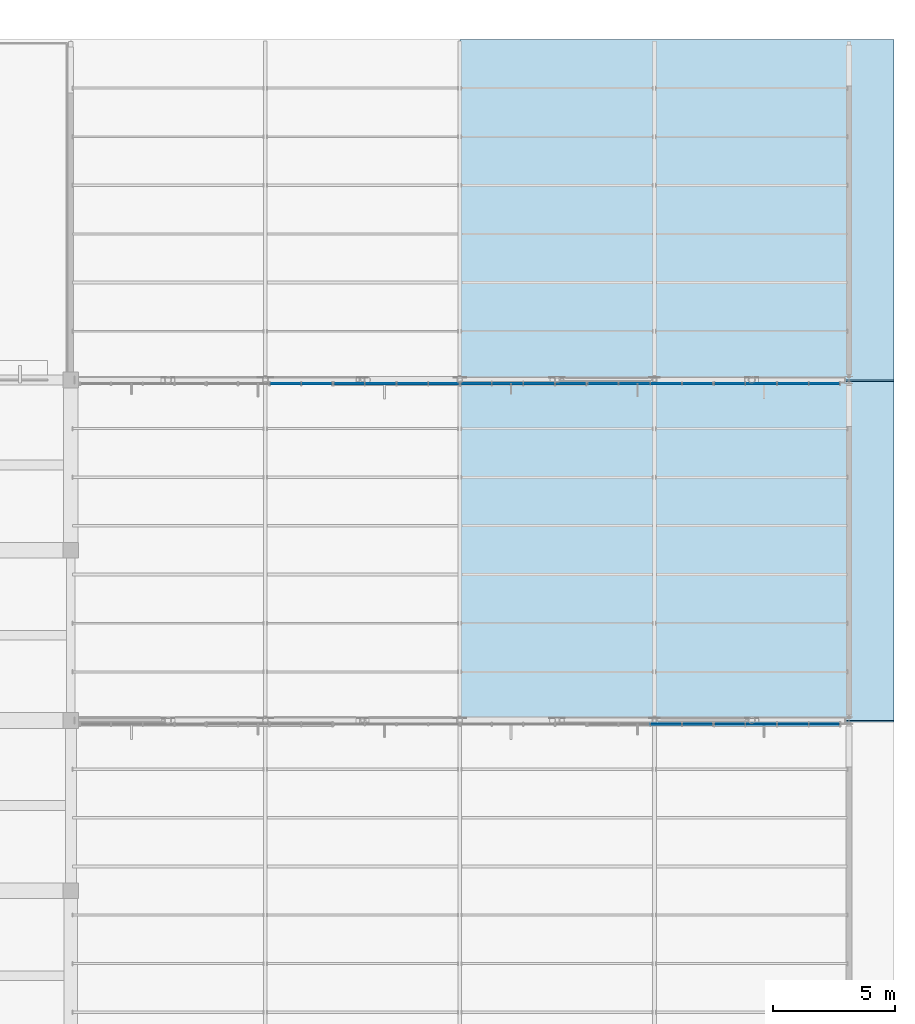
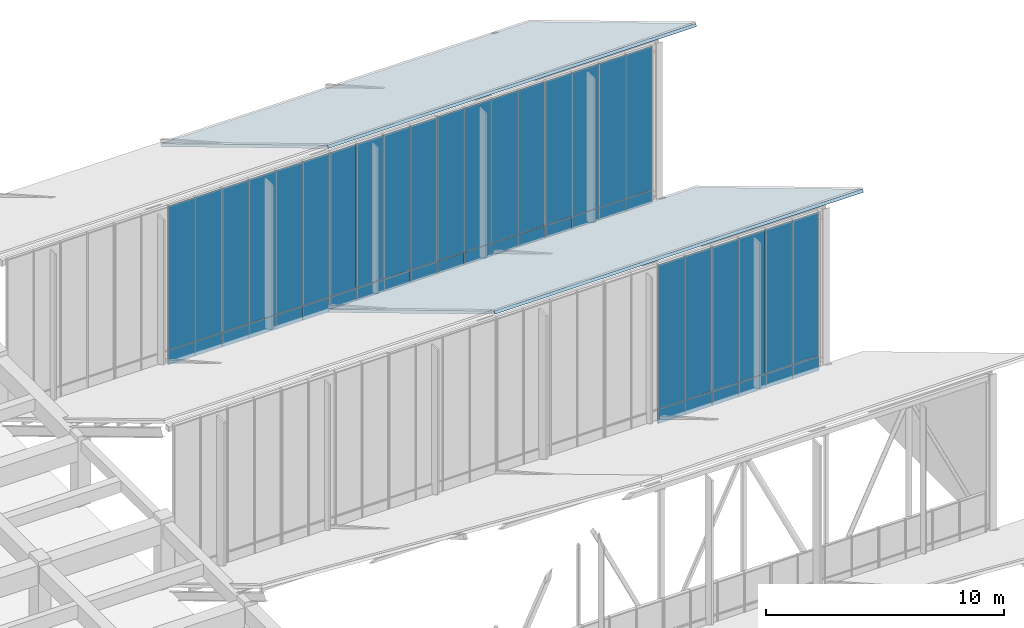
# One storey, part 83 of 155: 48 plates, 2 slabs, 9 elements without a shape of their own.
"""IFC4 building model written with IfcOpenShell, lengths in metres."""

from ifc_helpers import new_model, si_unit, direction, frame, origin, origin_2d, place, context, subcontext, project, spatial, polyline, rectangle, outline, extrude, material, layer, layer_set, type_object, element, aggregate, save


model = new_model("IFC4")

# Units and contexts
model_context = context("Model", 3, precision=1e-05, world=origin(), true_north=direction((0.0, 1.0)))
body_context = subcontext(model_context, "Body", "Model", "MODEL_VIEW")
ifc_project = project(units=[si_unit("LENGTHUNIT", "METRE"), si_unit("AREAUNIT", "SQUARE_METRE"), si_unit("VOLUMEUNIT", "CUBIC_METRE"), si_unit("PLANEANGLEUNIT", "RADIAN"), si_unit("MASSUNIT", "GRAM", prefix="KILO")], contexts=[model_context])

# Site, building, storey
site_placement = place(None, origin())
site = spatial("IfcSite", under=ifc_project, at=site_placement, CompositionType="ELEMENT")
building_placement = place(site_placement, origin())
building = spatial("IfcBuilding", under=site, at=building_placement, Name="Larkveld Mobility Hub", CompositionType="ELEMENT")
storey_placement = place(building_placement, frame((0.0, 0.0, 8.39990234375)))
storey = spatial("IfcBuildingStorey", under=building, at=storey_placement, Name="L02", CompositionType="ELEMENT", Elevation=8.39990234375)

# Curtain wall, plates
ifc_material_1 = material(Name="Anodised aluminium 6063-T6", Category="aluminium")
curtain_wall_type_1 = type_object("IfcCurtainWallType", Name="CW-SYS-07", PredefinedType="NOTDEFINED", material=ifc_material_1)
curtain_wall_1_placement = place(storey_placement, origin())
curtain_wall_1 = element("IfcCurtainWall", 1, at=curtain_wall_1_placement, inside=storey, type_object=curtain_wall_type_1, Name="Sawtooth South-Light Clerestory B6 CW-043", PredefinedType="NOTDEFINED")
ifc_material_2 = material(Name="Low-E laminated solar-control double glazing", Category="glass")
ifc_layer_1 = layer(ifc_material_2, 0.028076171875, Name="Low-E laminated solar-control double glazing", Category="glass")
ifc_layer_set_1 = layer_set([ifc_layer_1], Name="Low-E laminated solar-control double glazing")
plate_type_1 = type_object("IfcPlateType", Name="CW-PNL-GL01", PredefinedType="CURTAIN_PANEL", material=ifc_layer_set_1)
plate_1_placement = place(storey_placement, frame((179.094970703125, 97.844970703125, 0.75), z_axis=(0.0, 0.0, 1.0), x_axis=(1.0, 0.0, 0.0)))
plate_1 = element("IfcPlate", 2, at=plate_1_placement, type_object=plate_type_1, Name="CW07 panel 1", PredefinedType="CURTAIN_PANEL", context=body_context, shape_type="SweptSolid", body=[
    extrude(rectangle(XDim=1.27392578125, YDim=0.028076171875, at=origin_2d()), origin(), (0.0, 0.0, 1.0), 7.367919921875),
])
plate_2_placement = place(storey_placement, frame((180.388916015625, 97.844970703125, 0.75), z_axis=(0.0, 0.0, 1.0), x_axis=(1.0, 0.0, 0.0)))
plate_2 = element("IfcPlate", 3, at=plate_2_placement, type_object=plate_type_1, Name="CW07 panel 2", PredefinedType="CURTAIN_PANEL", context=body_context, shape_type="SweptSolid", body=[
    extrude(rectangle(XDim=1.2939453125, YDim=0.028076171875, at=origin_2d()), origin(), (0.0, 0.0, 1.0), 7.367919921875),
])
plate_3_placement = place(storey_placement, frame((181.694091796875, 97.844970703125, 0.75), z_axis=(0.0, 0.0, 1.0), x_axis=(1.0, 0.0, 0.0)))
plate_3 = element("IfcPlate", 4, at=plate_3_placement, type_object=plate_type_1, Name="CW07 panel 3", PredefinedType="CURTAIN_PANEL", context=body_context, shape_type="SweptSolid", body=[
    extrude(rectangle(XDim=1.2939453125, YDim=0.028076171875, at=origin_2d()), origin(), (0.0, 0.0, 1.0), 7.367919921875),
])
plate_4_placement = place(storey_placement, frame((182.988037109375, 97.844970703125, 0.75), z_axis=(0.0, 0.0, 1.0), x_axis=(1.0, 0.0, 0.0)))
plate_4 = element("IfcPlate", 5, at=plate_4_placement, type_object=plate_type_1, Name="CW07 panel 4", PredefinedType="CURTAIN_PANEL", context=body_context, shape_type="SweptSolid", body=[
    extrude(rectangle(XDim=1.27392578125, YDim=0.028076171875, at=origin_2d()), origin(), (0.0, 0.0, 1.0), 7.367919921875),
])

curtain_wall_type_2 = type_object("IfcCurtainWallType", Name="CW-SYS-10", PredefinedType="NOTDEFINED", material=ifc_material_1)
curtain_wall_2_placement = place(storey_placement, origin())
curtain_wall_2 = element("IfcCurtainWall", 6, at=curtain_wall_2_placement, inside=storey, type_object=curtain_wall_type_2, Name="Sawtooth South-Light Clerestory B7 CW-046", PredefinedType="NOTDEFINED")
plate_5_placement = place(storey_placement, frame((163.445068359375, 111.844970703125, 0.75), z_axis=(0.0, 0.0, 1.0), x_axis=(1.0, 0.0, 0.0)))
plate_5 = element("IfcPlate", 7, at=plate_5_placement, type_object=plate_type_1, Name="CW10 panel 1", PredefinedType="CURTAIN_PANEL", context=body_context, shape_type="SweptSolid", body=[
    extrude(rectangle(XDim=1.27392578125, YDim=0.028076171875, at=origin_2d()), origin(), (0.0, 0.0, 1.0), 7.367919921875),
])
plate_6_placement = place(storey_placement, frame((164.739013671875, 111.844970703125, 0.75), z_axis=(0.0, 0.0, 1.0), x_axis=(1.0, 0.0, 0.0)))
plate_6 = element("IfcPlate", 8, at=plate_6_placement, type_object=plate_type_1, Name="CW10 panel 2", PredefinedType="CURTAIN_PANEL", context=body_context, shape_type="SweptSolid", body=[
    extrude(rectangle(XDim=1.2939453125, YDim=0.028076171875, at=origin_2d()), origin(), (0.0, 0.0, 1.0), 7.367919921875),
])
plate_7_placement = place(storey_placement, frame((166.04296875, 111.844970703125, 0.75), z_axis=(0.0, 0.0, 1.0), x_axis=(1.0, 0.0, 0.0)))
plate_7 = element("IfcPlate", 9, at=plate_7_placement, type_object=plate_type_1, Name="CW10 panel 3", PredefinedType="CURTAIN_PANEL", context=body_context, shape_type="SweptSolid", body=[
    extrude(rectangle(XDim=1.2939453125, YDim=0.028076171875, at=origin_2d()), origin(), (0.0, 0.0, 1.0), 7.367919921875),
])
plate_8_placement = place(storey_placement, frame((167.337890625, 111.844970703125, 0.75), z_axis=(0.0, 0.0, 1.0), x_axis=(1.0, 0.0, 0.0)))
plate_8 = element("IfcPlate", 10, at=plate_8_placement, type_object=plate_type_1, Name="CW10 panel 4", PredefinedType="CURTAIN_PANEL", context=body_context, shape_type="SweptSolid", body=[
    extrude(rectangle(XDim=1.27392578125, YDim=0.028076171875, at=origin_2d()), origin(), (0.0, 0.0, 1.0), 7.367919921875),
])

curtain_wall_type_3 = type_object("IfcCurtainWallType", Name="CW-SYS-01", PredefinedType="NOTDEFINED", material=ifc_material_1)
curtain_wall_3_placement = place(storey_placement, origin())
curtain_wall_3 = element("IfcCurtainWall", 11, at=curtain_wall_3_placement, inside=storey, type_object=curtain_wall_type_3, Name="Sawtooth South-Light Clerestory B7 CW-049", PredefinedType="NOTDEFINED")
plate_9_placement = place(storey_placement, frame((179.094970703125, 111.844970703125, 0.75), z_axis=(0.0, 0.0, 1.0), x_axis=(1.0, 0.0, 0.0)))
plate_9 = element("IfcPlate", 12, at=plate_9_placement, type_object=plate_type_1, Name="CW01 panel 1", PredefinedType="CURTAIN_PANEL", context=body_context, shape_type="SweptSolid", body=[
    extrude(rectangle(XDim=1.27392578125, YDim=0.028076171875, at=origin_2d()), origin(), (0.0, 0.0, 1.0), 7.367919921875),
])
plate_10_placement = place(storey_placement, frame((180.388916015625, 111.844970703125, 0.75), z_axis=(0.0, 0.0, 1.0), x_axis=(1.0, 0.0, 0.0)))
plate_10 = element("IfcPlate", 13, at=plate_10_placement, type_object=plate_type_1, Name="CW01 panel 2", PredefinedType="CURTAIN_PANEL", context=body_context, shape_type="SweptSolid", body=[
    extrude(rectangle(XDim=1.2939453125, YDim=0.028076171875, at=origin_2d()), origin(), (0.0, 0.0, 1.0), 7.367919921875),
])
plate_11_placement = place(storey_placement, frame((181.694091796875, 111.844970703125, 0.75), z_axis=(0.0, 0.0, 1.0), x_axis=(1.0, 0.0, 0.0)))
plate_11 = element("IfcPlate", 14, at=plate_11_placement, type_object=plate_type_1, Name="CW01 panel 3", PredefinedType="CURTAIN_PANEL", context=body_context, shape_type="SweptSolid", body=[
    extrude(rectangle(XDim=1.2939453125, YDim=0.028076171875, at=origin_2d()), origin(), (0.0, 0.0, 1.0), 7.367919921875),
])
plate_12_placement = place(storey_placement, frame((182.988037109375, 111.844970703125, 0.75), z_axis=(0.0, 0.0, 1.0), x_axis=(1.0, 0.0, 0.0)))
plate_12 = element("IfcPlate", 15, at=plate_12_placement, type_object=plate_type_1, Name="CW01 panel 4", PredefinedType="CURTAIN_PANEL", context=body_context, shape_type="SweptSolid", body=[
    extrude(rectangle(XDim=1.27392578125, YDim=0.028076171875, at=origin_2d()), origin(), (0.0, 0.0, 1.0), 7.367919921875),
])

curtain_wall_type_4 = type_object("IfcCurtainWallType", Name="CW-SYS-11", PredefinedType="NOTDEFINED", material=ifc_material_1)
curtain_wall_4_placement = place(storey_placement, origin())
curtain_wall_4 = element("IfcCurtainWall", 16, at=curtain_wall_4_placement, inside=storey, type_object=curtain_wall_type_4, Name="Sawtooth South-Light Clerestory B7 CW-047", PredefinedType="NOTDEFINED")
ifc_material_3 = material(Name="Acoustic solar-control laminated double glazing", Category="glass")
ifc_layer_2 = layer(ifc_material_3, 0.031982421875, Name="Acoustic solar-control laminated double glazing", Category="glass")
ifc_layer_set_2 = layer_set([ifc_layer_2], Name="Acoustic solar-control laminated double glazing")
plate_type_2 = type_object("IfcPlateType", Name="CW-PNL-GL02", PredefinedType="CURTAIN_PANEL", material=ifc_layer_set_2)
plate_13_placement = place(storey_placement, frame((168.662109375, 111.844970703125, 0.75), z_axis=(0.0, 0.0, 1.0), x_axis=(1.0, 0.0, 0.0)))
plate_13 = element("IfcPlate", 17, at=plate_13_placement, type_object=plate_type_2, Name="CW11 panel 1", PredefinedType="CURTAIN_PANEL", context=body_context, shape_type="SweptSolid", body=[
    extrude(rectangle(XDim=1.27392578125, YDim=0.031982421875, at=origin_2d()), origin(), (0.0, 0.0, 1.0), 7.367919921875),
])
plate_14_placement = place(storey_placement, frame((169.9560546875, 111.844970703125, 0.75), z_axis=(0.0, 0.0, 1.0), x_axis=(1.0, 0.0, 0.0)))
plate_14 = element("IfcPlate", 18, at=plate_14_placement, type_object=plate_type_2, Name="CW11 panel 2", PredefinedType="CURTAIN_PANEL", context=body_context, shape_type="SweptSolid", body=[
    extrude(rectangle(XDim=1.2939453125, YDim=0.031982421875, at=origin_2d()), origin(), (0.0, 0.0, 1.0), 7.367919921875),
])
plate_15_placement = place(storey_placement, frame((171.260009765625, 111.844970703125, 0.75), z_axis=(0.0, 0.0, 1.0), x_axis=(1.0, 0.0, 0.0)))
plate_15 = element("IfcPlate", 19, at=plate_15_placement, type_object=plate_type_2, Name="CW11 panel 3", PredefinedType="CURTAIN_PANEL", context=body_context, shape_type="SweptSolid", body=[
    extrude(rectangle(XDim=1.2939453125, YDim=0.031982421875, at=origin_2d()), origin(), (0.0, 0.0, 1.0), 7.367919921875),
])
plate_16_placement = place(storey_placement, frame((172.554931640625, 111.844970703125, 0.75), z_axis=(0.0, 0.0, 1.0), x_axis=(1.0, 0.0, 0.0)))
plate_16 = element("IfcPlate", 20, at=plate_16_placement, type_object=plate_type_2, Name="CW11 panel 4", PredefinedType="CURTAIN_PANEL", context=body_context, shape_type="SweptSolid", body=[
    extrude(rectangle(XDim=1.27392578125, YDim=0.031982421875, at=origin_2d()), origin(), (0.0, 0.0, 1.0), 7.367919921875),
])

curtain_wall_type_5 = type_object("IfcCurtainWallType", Name="CW-SYS-06", PredefinedType="NOTDEFINED", material=ifc_material_1)
curtain_wall_5_placement = place(storey_placement, origin())
curtain_wall_5 = element("IfcCurtainWall", 21, at=curtain_wall_5_placement, inside=storey, type_object=curtain_wall_type_5, Name="Sawtooth South-Light Clerestory B6 CW-042", PredefinedType="NOTDEFINED")
ifc_material_4 = material(Name="Tinted safety double glazing", Category="glass")
ifc_layer_3 = layer(ifc_material_4, 0.035888671875, Name="Tinted safety double glazing", Category="glass")
ifc_layer_set_3 = layer_set([ifc_layer_3], Name="Tinted safety double glazing")
plate_type_3 = type_object("IfcPlateType", Name="CW-PNL-GL03", PredefinedType="CURTAIN_PANEL", material=ifc_layer_set_3)
plate_17_placement = place(storey_placement, frame((176.47802734375, 97.844970703125, 0.75), z_axis=(0.0, 0.0, 1.0), x_axis=(1.0, 0.0, 0.0)))
plate_17 = element("IfcPlate", 22, at=plate_17_placement, type_object=plate_type_3, Name="CW06 panel 3", PredefinedType="CURTAIN_PANEL", context=body_context, shape_type="SweptSolid", body=[
    extrude(rectangle(XDim=1.2939453125, YDim=0.035888671875, at=origin_2d()), origin(), (0.0, 0.0, 1.0), 7.367919921875),
])
plate_18_placement = place(storey_placement, frame((177.77197265625, 97.844970703125, 0.75), z_axis=(0.0, 0.0, 1.0), x_axis=(1.0, 0.0, 0.0)))
plate_18 = element("IfcPlate", 23, at=plate_18_placement, type_object=plate_type_3, Name="CW06 panel 4", PredefinedType="CURTAIN_PANEL", context=body_context, shape_type="SweptSolid", body=[
    extrude(rectangle(XDim=1.27392578125, YDim=0.035888671875, at=origin_2d()), origin(), (0.0, 0.0, 1.0), 7.367919921875),
])

curtain_wall_type_6 = type_object("IfcCurtainWallType", Name="CW-SYS-09", PredefinedType="NOTDEFINED", material=ifc_material_1)
curtain_wall_6_placement = place(storey_placement, origin())
curtain_wall_6 = element("IfcCurtainWall", 24, at=curtain_wall_6_placement, inside=storey, type_object=curtain_wall_type_6, Name="Sawtooth South-Light Clerestory B7 CW-045", PredefinedType="NOTDEFINED")
plate_19_placement = place(storey_placement, frame((160.826904296875, 111.844970703125, 0.75), z_axis=(0.0, 0.0, 1.0), x_axis=(1.0, 0.0, 0.0)))
plate_19 = element("IfcPlate", 25, at=plate_19_placement, type_object=plate_type_3, Name="CW09 panel 3", PredefinedType="CURTAIN_PANEL", context=body_context, shape_type="SweptSolid", body=[
    extrude(rectangle(XDim=1.2939453125, YDim=0.035888671875, at=origin_2d()), origin(), (0.0, 0.0, 1.0), 7.367919921875),
])
plate_20_placement = place(storey_placement, frame((162.1220703125, 111.844970703125, 0.75), z_axis=(0.0, 0.0, 1.0), x_axis=(1.0, 0.0, 0.0)))
plate_20 = element("IfcPlate", 26, at=plate_20_placement, type_object=plate_type_3, Name="CW09 panel 4", PredefinedType="CURTAIN_PANEL", context=body_context, shape_type="SweptSolid", body=[
    extrude(rectangle(XDim=1.27392578125, YDim=0.035888671875, at=origin_2d()), origin(), (0.0, 0.0, 1.0), 7.367919921875),
])

curtain_wall_type_7 = type_object("IfcCurtainWallType", Name="CW-SYS-12", PredefinedType="NOTDEFINED", material=ifc_material_1)
curtain_wall_7_placement = place(storey_placement, origin())
curtain_wall_7 = element("IfcCurtainWall", 27, at=curtain_wall_7_placement, inside=storey, type_object=curtain_wall_type_7, Name="Sawtooth South-Light Clerestory B7 CW-048", PredefinedType="NOTDEFINED")
plate_21_placement = place(storey_placement, frame((173.87890625, 111.844970703125, 0.75), z_axis=(0.0, 0.0, 1.0), x_axis=(1.0, 0.0, 0.0)))
plate_21 = element("IfcPlate", 28, at=plate_21_placement, type_object=plate_type_3, Name="CW12 panel 1", PredefinedType="CURTAIN_PANEL", context=body_context, shape_type="SweptSolid", body=[
    extrude(rectangle(XDim=1.27392578125, YDim=0.035888671875, at=origin_2d()), origin(), (0.0, 0.0, 1.0), 7.367919921875),
])
plate_22_placement = place(storey_placement, frame((175.173095703125, 111.844970703125, 0.75), z_axis=(0.0, 0.0, 1.0), x_axis=(1.0, 0.0, 0.0)))
plate_22 = element("IfcPlate", 29, at=plate_22_placement, type_object=plate_type_3, Name="CW12 panel 2", PredefinedType="CURTAIN_PANEL", context=body_context, shape_type="SweptSolid", body=[
    extrude(rectangle(XDim=1.2939453125, YDim=0.035888671875, at=origin_2d()), origin(), (0.0, 0.0, 1.0), 7.367919921875),
])
plate_23_placement = place(storey_placement, frame((176.47802734375, 111.844970703125, 0.75), z_axis=(0.0, 0.0, 1.0), x_axis=(1.0, 0.0, 0.0)))
plate_23 = element("IfcPlate", 30, at=plate_23_placement, type_object=plate_type_3, Name="CW12 panel 3", PredefinedType="CURTAIN_PANEL", context=body_context, shape_type="SweptSolid", body=[
    extrude(rectangle(XDim=1.2939453125, YDim=0.035888671875, at=origin_2d()), origin(), (0.0, 0.0, 1.0), 7.367919921875),
])
plate_24_placement = place(storey_placement, frame((177.77197265625, 111.844970703125, 0.75), z_axis=(0.0, 0.0, 1.0), x_axis=(1.0, 0.0, 0.0)))
plate_24 = element("IfcPlate", 31, at=plate_24_placement, type_object=plate_type_3, Name="CW12 panel 4", PredefinedType="CURTAIN_PANEL", context=body_context, shape_type="SweptSolid", body=[
    extrude(rectangle(XDim=1.27392578125, YDim=0.035888671875, at=origin_2d()), origin(), (0.0, 0.0, 1.0), 7.367919921875),
])

# Plate
ifc_material_5 = material(Name="Insulated fluoropolymer aluminium spandrel", Category="aluminium")
ifc_layer_4 = layer(ifc_material_5, 0.06494140625, Name="Insulated fluoropolymer aluminium spandrel", Category="aluminium")
ifc_layer_set_4 = layer_set([ifc_layer_4], Name="Insulated fluoropolymer aluminium spandrel")
plate_type_4 = type_object("IfcPlateType", Name="CW-PNL-SP01", PredefinedType="CURTAIN_PANEL", material=ifc_layer_set_4)
plate_25_placement = place(storey_placement, frame((179.094970703125, 97.844970703125, 0.0), z_axis=(0.0, 0.0, 1.0), x_axis=(1.0, 0.0, 0.0)))
plate_25 = element("IfcPlate", 32, at=plate_25_placement, type_object=plate_type_4, Name="CW07 spandrel 1", PredefinedType="CURTAIN_PANEL", context=body_context, shape_type="SweptSolid", body=[
    extrude(rectangle(XDim=1.27392578125, YDim=0.06494140625, at=origin_2d()), origin(), (0.0, 0.0, 1.0), 0.738037109375),
])

plate_26_placement = place(storey_placement, frame((180.388916015625, 97.844970703125, 0.0), z_axis=(0.0, 0.0, 1.0), x_axis=(1.0, 0.0, 0.0)))
plate_26 = element("IfcPlate", 33, at=plate_26_placement, type_object=plate_type_4, Name="CW07 spandrel 2", PredefinedType="CURTAIN_PANEL", context=body_context, shape_type="SweptSolid", body=[
    extrude(rectangle(XDim=1.2939453125, YDim=0.06494140625, at=origin_2d()), origin(), (0.0, 0.0, 1.0), 0.738037109375),
])

plate_27_placement = place(storey_placement, frame((181.694091796875, 97.844970703125, 0.0), z_axis=(0.0, 0.0, 1.0), x_axis=(1.0, 0.0, 0.0)))
plate_27 = element("IfcPlate", 34, at=plate_27_placement, type_object=plate_type_4, Name="CW07 spandrel 3", PredefinedType="CURTAIN_PANEL", context=body_context, shape_type="SweptSolid", body=[
    extrude(rectangle(XDim=1.2939453125, YDim=0.06494140625, at=origin_2d()), origin(), (0.0, 0.0, 1.0), 0.738037109375),
])

plate_28_placement = place(storey_placement, frame((182.988037109375, 97.844970703125, 0.0), z_axis=(0.0, 0.0, 1.0), x_axis=(1.0, 0.0, 0.0)))
plate_28 = element("IfcPlate", 35, at=plate_28_placement, type_object=plate_type_4, Name="CW07 spandrel 4", PredefinedType="CURTAIN_PANEL", context=body_context, shape_type="SweptSolid", body=[
    extrude(rectangle(XDim=1.27392578125, YDim=0.06494140625, at=origin_2d()), origin(), (0.0, 0.0, 1.0), 0.738037109375),
])

aggregate(curtain_wall_1, [plate_25, plate_1, plate_26, plate_2, plate_27, plate_3, plate_28, plate_4])

plate_29_placement = place(storey_placement, frame((160.826904296875, 111.844970703125, 0.0), z_axis=(0.0, 0.0, 1.0), x_axis=(1.0, 0.0, 0.0)))
plate_29 = element("IfcPlate", 36, at=plate_29_placement, type_object=plate_type_4, Name="CW09 spandrel 3", PredefinedType="CURTAIN_PANEL", context=body_context, shape_type="SweptSolid", body=[
    extrude(rectangle(XDim=1.2939453125, YDim=0.06494140625, at=origin_2d()), origin(), (0.0, 0.0, 1.0), 0.738037109375),
])

plate_30_placement = place(storey_placement, frame((162.1220703125, 111.844970703125, 0.0), z_axis=(0.0, 0.0, 1.0), x_axis=(1.0, 0.0, 0.0)))
plate_30 = element("IfcPlate", 37, at=plate_30_placement, type_object=plate_type_4, Name="CW09 spandrel 4", PredefinedType="CURTAIN_PANEL", context=body_context, shape_type="SweptSolid", body=[
    extrude(rectangle(XDim=1.27392578125, YDim=0.06494140625, at=origin_2d()), origin(), (0.0, 0.0, 1.0), 0.738037109375),
])

aggregate(curtain_wall_6, [plate_29, plate_19, plate_30, plate_20])

plate_31_placement = place(storey_placement, frame((168.662109375, 111.844970703125, 0.0), z_axis=(0.0, 0.0, 1.0), x_axis=(1.0, 0.0, 0.0)))
plate_31 = element("IfcPlate", 38, at=plate_31_placement, type_object=plate_type_4, Name="CW11 spandrel 1", PredefinedType="CURTAIN_PANEL", context=body_context, shape_type="SweptSolid", body=[
    extrude(rectangle(XDim=1.27392578125, YDim=0.06494140625, at=origin_2d()), origin(), (0.0, 0.0, 1.0), 0.738037109375),
])

plate_32_placement = place(storey_placement, frame((169.9560546875, 111.844970703125, 0.0), z_axis=(0.0, 0.0, 1.0), x_axis=(1.0, 0.0, 0.0)))
plate_32 = element("IfcPlate", 39, at=plate_32_placement, type_object=plate_type_4, Name="CW11 spandrel 2", PredefinedType="CURTAIN_PANEL", context=body_context, shape_type="SweptSolid", body=[
    extrude(rectangle(XDim=1.2939453125, YDim=0.06494140625, at=origin_2d()), origin(), (0.0, 0.0, 1.0), 0.738037109375),
])

plate_33_placement = place(storey_placement, frame((171.260009765625, 111.844970703125, 0.0), z_axis=(0.0, 0.0, 1.0), x_axis=(1.0, 0.0, 0.0)))
plate_33 = element("IfcPlate", 40, at=plate_33_placement, type_object=plate_type_4, Name="CW11 spandrel 3", PredefinedType="CURTAIN_PANEL", context=body_context, shape_type="SweptSolid", body=[
    extrude(rectangle(XDim=1.2939453125, YDim=0.06494140625, at=origin_2d()), origin(), (0.0, 0.0, 1.0), 0.738037109375),
])

plate_34_placement = place(storey_placement, frame((172.554931640625, 111.844970703125, 0.0), z_axis=(0.0, 0.0, 1.0), x_axis=(1.0, 0.0, 0.0)))
plate_34 = element("IfcPlate", 41, at=plate_34_placement, type_object=plate_type_4, Name="CW11 spandrel 4", PredefinedType="CURTAIN_PANEL", context=body_context, shape_type="SweptSolid", body=[
    extrude(rectangle(XDim=1.27392578125, YDim=0.06494140625, at=origin_2d()), origin(), (0.0, 0.0, 1.0), 0.738037109375),
])

aggregate(curtain_wall_4, [plate_31, plate_13, plate_32, plate_14, plate_33, plate_15, plate_34, plate_16])

plate_35_placement = place(storey_placement, frame((179.094970703125, 111.844970703125, 0.0), z_axis=(0.0, 0.0, 1.0), x_axis=(1.0, 0.0, 0.0)))
plate_35 = element("IfcPlate", 42, at=plate_35_placement, type_object=plate_type_4, Name="CW01 spandrel 1", PredefinedType="CURTAIN_PANEL", context=body_context, shape_type="SweptSolid", body=[
    extrude(rectangle(XDim=1.27392578125, YDim=0.06494140625, at=origin_2d()), origin(), (0.0, 0.0, 1.0), 0.738037109375),
])

plate_36_placement = place(storey_placement, frame((180.388916015625, 111.844970703125, 0.0), z_axis=(0.0, 0.0, 1.0), x_axis=(1.0, 0.0, 0.0)))
plate_36 = element("IfcPlate", 43, at=plate_36_placement, type_object=plate_type_4, Name="CW01 spandrel 2", PredefinedType="CURTAIN_PANEL", context=body_context, shape_type="SweptSolid", body=[
    extrude(rectangle(XDim=1.2939453125, YDim=0.06494140625, at=origin_2d()), origin(), (0.0, 0.0, 1.0), 0.738037109375),
])

plate_37_placement = place(storey_placement, frame((181.694091796875, 111.844970703125, 0.0), z_axis=(0.0, 0.0, 1.0), x_axis=(1.0, 0.0, 0.0)))
plate_37 = element("IfcPlate", 44, at=plate_37_placement, type_object=plate_type_4, Name="CW01 spandrel 3", PredefinedType="CURTAIN_PANEL", context=body_context, shape_type="SweptSolid", body=[
    extrude(rectangle(XDim=1.2939453125, YDim=0.06494140625, at=origin_2d()), origin(), (0.0, 0.0, 1.0), 0.738037109375),
])

plate_38_placement = place(storey_placement, frame((182.988037109375, 111.844970703125, 0.0), z_axis=(0.0, 0.0, 1.0), x_axis=(1.0, 0.0, 0.0)))
plate_38 = element("IfcPlate", 45, at=plate_38_placement, type_object=plate_type_4, Name="CW01 spandrel 4", PredefinedType="CURTAIN_PANEL", context=body_context, shape_type="SweptSolid", body=[
    extrude(rectangle(XDim=1.27392578125, YDim=0.06494140625, at=origin_2d()), origin(), (0.0, 0.0, 1.0), 0.738037109375),
])

aggregate(curtain_wall_3, [plate_35, plate_9, plate_36, plate_10, plate_37, plate_11, plate_38, plate_12])

ifc_material_6 = material(Name="Insulated terracotta-toned aluminium spandrel", Category="masonry")
ifc_layer_5 = layer(ifc_material_6, 0.080078125, Name="Insulated terracotta-toned aluminium spandrel", Category="masonry")
ifc_layer_set_5 = layer_set([ifc_layer_5], Name="Insulated terracotta-toned aluminium spandrel")
plate_type_5 = type_object("IfcPlateType", Name="CW-PNL-SP02", PredefinedType="CURTAIN_PANEL", material=ifc_layer_set_5)
plate_39_placement = place(storey_placement, frame((176.47802734375, 97.844970703125, 0.0), z_axis=(0.0, 0.0, 1.0), x_axis=(1.0, 0.0, 0.0)))
plate_39 = element("IfcPlate", 46, at=plate_39_placement, type_object=plate_type_5, Name="CW06 spandrel 3", PredefinedType="CURTAIN_PANEL", context=body_context, shape_type="SweptSolid", body=[
    extrude(rectangle(XDim=1.2939453125, YDim=0.080078125, at=origin_2d()), origin(), (0.0, 0.0, 1.0), 0.738037109375),
])

plate_40_placement = place(storey_placement, frame((177.77197265625, 97.844970703125, 0.0), z_axis=(0.0, 0.0, 1.0), x_axis=(1.0, 0.0, 0.0)))
plate_40 = element("IfcPlate", 47, at=plate_40_placement, type_object=plate_type_5, Name="CW06 spandrel 4", PredefinedType="CURTAIN_PANEL", context=body_context, shape_type="SweptSolid", body=[
    extrude(rectangle(XDim=1.27392578125, YDim=0.080078125, at=origin_2d()), origin(), (0.0, 0.0, 1.0), 0.738037109375),
])

aggregate(curtain_wall_5, [plate_39, plate_17, plate_40, plate_18])

plate_41_placement = place(storey_placement, frame((163.445068359375, 111.844970703125, 0.0), z_axis=(0.0, 0.0, 1.0), x_axis=(1.0, 0.0, 0.0)))
plate_41 = element("IfcPlate", 48, at=plate_41_placement, type_object=plate_type_5, Name="CW10 spandrel 1", PredefinedType="CURTAIN_PANEL", context=body_context, shape_type="SweptSolid", body=[
    extrude(rectangle(XDim=1.27392578125, YDim=0.080078125, at=origin_2d()), origin(), (0.0, 0.0, 1.0), 0.738037109375),
])

plate_42_placement = place(storey_placement, frame((164.739013671875, 111.844970703125, 0.0), z_axis=(0.0, 0.0, 1.0), x_axis=(1.0, 0.0, 0.0)))
plate_42 = element("IfcPlate", 49, at=plate_42_placement, type_object=plate_type_5, Name="CW10 spandrel 2", PredefinedType="CURTAIN_PANEL", context=body_context, shape_type="SweptSolid", body=[
    extrude(rectangle(XDim=1.2939453125, YDim=0.080078125, at=origin_2d()), origin(), (0.0, 0.0, 1.0), 0.738037109375),
])

plate_43_placement = place(storey_placement, frame((166.04296875, 111.844970703125, 0.0), z_axis=(0.0, 0.0, 1.0), x_axis=(1.0, 0.0, 0.0)))
plate_43 = element("IfcPlate", 50, at=plate_43_placement, type_object=plate_type_5, Name="CW10 spandrel 3", PredefinedType="CURTAIN_PANEL", context=body_context, shape_type="SweptSolid", body=[
    extrude(rectangle(XDim=1.2939453125, YDim=0.080078125, at=origin_2d()), origin(), (0.0, 0.0, 1.0), 0.738037109375),
])

plate_44_placement = place(storey_placement, frame((167.337890625, 111.844970703125, 0.0), z_axis=(0.0, 0.0, 1.0), x_axis=(1.0, 0.0, 0.0)))
plate_44 = element("IfcPlate", 51, at=plate_44_placement, type_object=plate_type_5, Name="CW10 spandrel 4", PredefinedType="CURTAIN_PANEL", context=body_context, shape_type="SweptSolid", body=[
    extrude(rectangle(XDim=1.27392578125, YDim=0.080078125, at=origin_2d()), origin(), (0.0, 0.0, 1.0), 0.738037109375),
])

aggregate(curtain_wall_2, [plate_41, plate_5, plate_42, plate_6, plate_43, plate_7, plate_44, plate_8])

plate_45_placement = place(storey_placement, frame((173.87890625, 111.844970703125, 0.0), z_axis=(0.0, 0.0, 1.0), x_axis=(1.0, 0.0, 0.0)))
plate_45 = element("IfcPlate", 52, at=plate_45_placement, type_object=plate_type_5, Name="CW12 spandrel 1", PredefinedType="CURTAIN_PANEL", context=body_context, shape_type="SweptSolid", body=[
    extrude(rectangle(XDim=1.27392578125, YDim=0.080078125, at=origin_2d()), origin(), (0.0, 0.0, 1.0), 0.738037109375),
])

plate_46_placement = place(storey_placement, frame((175.173095703125, 111.844970703125, 0.0), z_axis=(0.0, 0.0, 1.0), x_axis=(1.0, 0.0, 0.0)))
plate_46 = element("IfcPlate", 53, at=plate_46_placement, type_object=plate_type_5, Name="CW12 spandrel 2", PredefinedType="CURTAIN_PANEL", context=body_context, shape_type="SweptSolid", body=[
    extrude(rectangle(XDim=1.2939453125, YDim=0.080078125, at=origin_2d()), origin(), (0.0, 0.0, 1.0), 0.738037109375),
])

plate_47_placement = place(storey_placement, frame((176.47802734375, 111.844970703125, 0.0), z_axis=(0.0, 0.0, 1.0), x_axis=(1.0, 0.0, 0.0)))
plate_47 = element("IfcPlate", 54, at=plate_47_placement, type_object=plate_type_5, Name="CW12 spandrel 3", PredefinedType="CURTAIN_PANEL", context=body_context, shape_type="SweptSolid", body=[
    extrude(rectangle(XDim=1.2939453125, YDim=0.080078125, at=origin_2d()), origin(), (0.0, 0.0, 1.0), 0.738037109375),
])

plate_48_placement = place(storey_placement, frame((177.77197265625, 111.844970703125, 0.0), z_axis=(0.0, 0.0, 1.0), x_axis=(1.0, 0.0, 0.0)))
plate_48 = element("IfcPlate", 55, at=plate_48_placement, type_object=plate_type_5, Name="CW12 spandrel 4", PredefinedType="CURTAIN_PANEL", context=body_context, shape_type="SweptSolid", body=[
    extrude(rectangle(XDim=1.27392578125, YDim=0.080078125, at=origin_2d()), origin(), (0.0, 0.0, 1.0), 0.738037109375),
])

aggregate(curtain_wall_7, [plate_45, plate_21, plate_46, plate_22, plate_47, plate_23, plate_48, plate_24])

# Roof, slab
ifc_material_7 = material(Name="Steel S355JR", Category="steel")
roof_type = type_object("IfcRoofType", Name="ROF-SAW-01", PredefinedType="SHED_ROOF", material=ifc_material_7)
roof_1_placement = place(storey_placement, origin())
roof_1 = element("IfcRoof", 56, at=roof_1_placement, inside=storey, type_object=roof_type, Name="Sawtooth South-Light Roof Bay 6", PredefinedType="SHED_ROOF")
ifc_material_8 = material(Name="Precast concrete C50/60", Category="concrete")
ifc_layer_6 = layer(ifc_material_8, 0.139892578125, Name="Precast concrete C50/60", Category="concrete")
ifc_layer_set_6 = layer_set([ifc_layer_6], Name="Precast concrete C50/60")
slab_type = type_object("IfcSlabType", Name="SL-RF-SAW140", PredefinedType="ROOF", material=ifc_layer_set_6)
slab_1_placement = place(storey_placement, frame((168.0, 98.0, 8.400146484375), z_axis=(0.0, 0.51450235251, 0.857488967429), x_axis=(1.0, 0.0, 0.0)))
slab_1 = element("IfcSlab", 57, at=slab_1_placement, type_object=slab_type, Name="Sawtooth North-Sloped Roof Slab B6.2", PredefinedType="ROOF", context=body_context, shape_type="SweptSolid", body=[
    extrude(outline(polyline([(0.0, 0.0), (17.85009765625, 0.0), (17.85009765625, 16.3267406716392), (0.0, 16.3267406716392), (0.0, 0.0)])), origin(), (0.0, 0.0, -1.0), 0.139892578125),
])
aggregate(roof_1, [slab_1])

roof_2_placement = place(storey_placement, origin())
roof_2 = element("IfcRoof", 58, at=roof_2_placement, inside=storey, type_object=roof_type, Name="Sawtooth South-Light Roof Bay 7", PredefinedType="SHED_ROOF")
slab_2_placement = place(storey_placement, frame((168.0, 112.0, 8.400146484375), z_axis=(0.0, 0.51450235251, 0.857488967429), x_axis=(1.0, 0.0, 0.0)))
slab_2 = element("IfcSlab", 59, at=slab_2_placement, type_object=slab_type, Name="Sawtooth North-Sloped Roof Slab B7.2", PredefinedType="ROOF", context=body_context, shape_type="SweptSolid", body=[
    extrude(outline(polyline([(0.0, 0.0), (17.85009765625, 0.0), (17.85009765625, 16.3267406716392), (0.0, 16.3267406716392), (0.0, 0.0)])), origin(), (0.0, 0.0, -1.0), 0.139892578125),
])
aggregate(roof_2, [slab_2])

save(model, "model.ifc")
